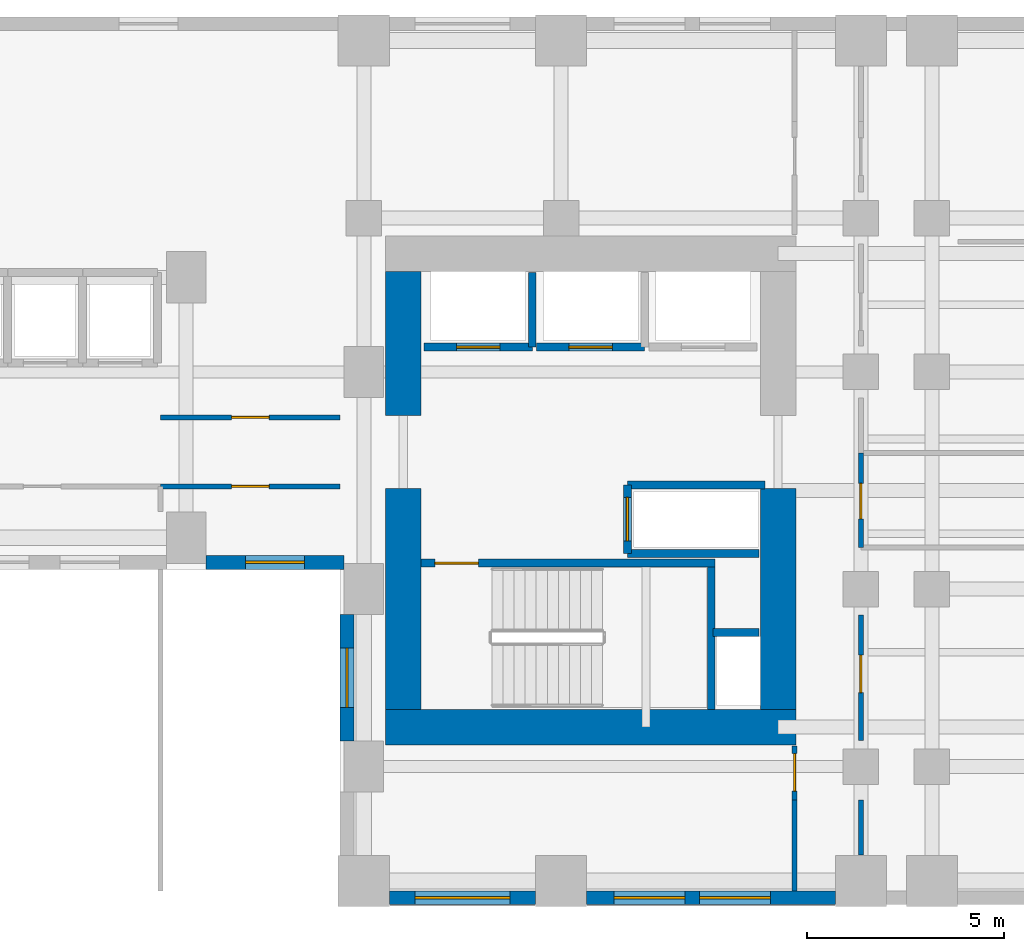
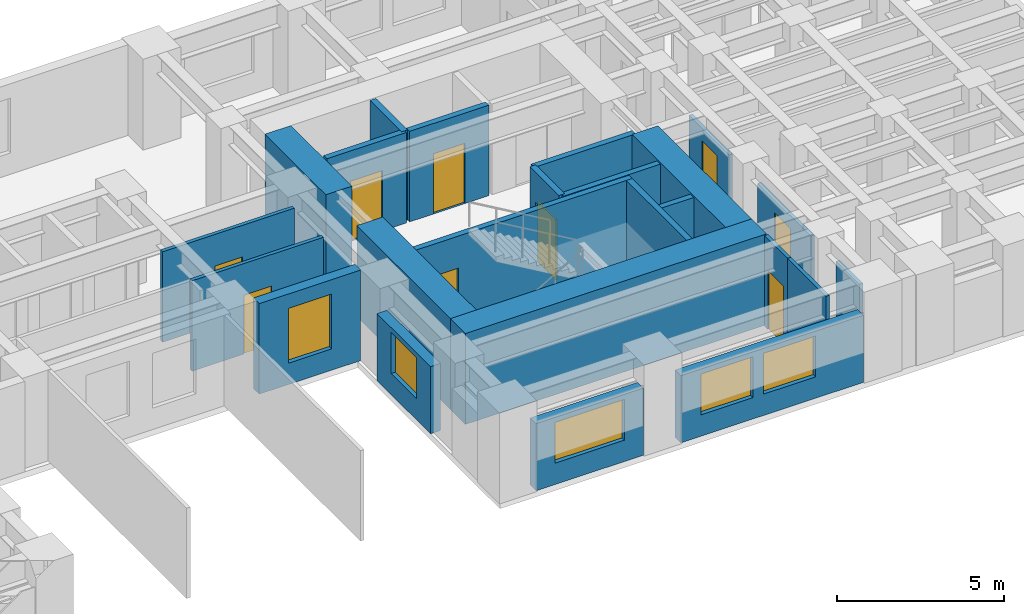
# One storey, part 7 of 11: 24 walls, 9 doors, 5 windows, 14 openings.
"""IFC4 building model written with IfcOpenShell, lengths in metres."""

import ifcopenshell
import ifcopenshell.guid

model = None  # the IFC model being written
_history = None  # IfcOwnerHistory: only IFC2X3 demands one
_inside = {}  # id of a spatial element -> (the spatial element, [elements in it])
_under = {}  # id of a project, library or spatial element -> (it, [spatial elements below it])
_declared = {}  # id of a project -> (the project, [libraries it declares])
_typed = {}  # id of a type object -> (the type object, [elements of that type])
_made_of = {}  # id of a material, layer set ... -> (it, [elements and type objects made of it])


def new_model(schema):
    """Start an empty IFC model of exactly this schema.

    Asked for "IFC4X3", IfcOpenShell would pick the latest addendum, in which some entities
    have other attributes; the version numbers below select the first issue.
    IFC2X3 requires an IfcOwnerHistory on every rooted entity: one is made here for all.
    """
    global model, _history
    if schema == "IFC4X3":
        model = ifcopenshell.file(schema_version=(4, 3, 0, 0))
    else:
        model = ifcopenshell.file(schema=schema)
    _inside.clear()
    _under.clear()
    _declared.clear()
    _typed.clear()
    _made_of.clear()
    _history = None
    if model.schema == "IFC2X3":
        org = make("IfcOrganization", Name="unknown")
        user = make(
            "IfcPersonAndOrganization",
            ThePerson=make("IfcPerson", FamilyName="unknown"),
            TheOrganization=org,
        )
        app = make(
            "IfcApplication",
            ApplicationDeveloper=org,
            Version="unknown",
            ApplicationFullName="unknown",
            ApplicationIdentifier="unknown",
        )
        _history = make(
            "IfcOwnerHistory",
            OwningUser=user,
            OwningApplication=app,
            ChangeAction="ADDED",
            CreationDate=0,
        )
    return model


def make(cls, **values):
    """One entity of the class cls with the attributes given. An attribute that is None is left unset."""
    return model.create_entity(
        cls, **{name: value for name, value in values.items() if value is not None}
    )


def rooted(cls, **values):
    """An entity with a GlobalId (a new one), such as an element, a storey or a relation."""
    return make(cls, GlobalId=ifcopenshell.guid.new(), OwnerHistory=_history, **values)


def si_unit(unit_type, name, prefix=None):
    """IfcSIUnit, for example si_unit("LENGTHUNIT", "METRE", prefix="MILLI")."""
    return make("IfcSIUnit", UnitType=unit_type, Prefix=prefix, Name=name)


def assignment(units):
    """IfcUnitAssignment: the units of a project."""
    return None if units is None else make("IfcUnitAssignment", Units=units)


def point(xyz):
    """IfcCartesianPoint."""
    return None if xyz is None else make("IfcCartesianPoint", Coordinates=xyz)


def direction(xyz):
    """IfcDirection."""
    return None if xyz is None else make("IfcDirection", DirectionRatios=xyz)


def frame(location, z_axis=None, x_axis=None):
    """IfcAxis2Placement3D, a coordinate frame: its origin and axes. An axis left out is left unset."""
    return make(
        "IfcAxis2Placement3D",
        Location=point(location),
        Axis=direction(z_axis),
        RefDirection=direction(x_axis),
    )


def frame_2d(location, x_axis=None):
    """IfcAxis2Placement2D, a coordinate frame in the plane: its origin and x axis."""
    return make(
        "IfcAxis2Placement2D", Location=point(location), RefDirection=direction(x_axis)
    )


def origin():
    """The frame at (0, 0, 0) with its axes left unset."""
    return frame((0.0, 0.0, 0.0))


def place(relative_to, where):
    """IfcLocalPlacement: puts the frame where relative to a parent placement (None: the world)."""
    return make(
        "IfcLocalPlacement", PlacementRelTo=relative_to, RelativePlacement=where
    )


def context(
    kind, dimensions, precision=None, world=None, true_north=None, identifier=None
):
    """IfcGeometricRepresentationContext, for example the 3D "Model" context."""
    return make(
        "IfcGeometricRepresentationContext",
        ContextIdentifier=identifier,
        ContextType=kind,
        CoordinateSpaceDimension=dimensions,
        Precision=precision,
        WorldCoordinateSystem=world,
        TrueNorth=true_north,
    )


def subcontext(parent, identifier, kind, view, scale=None):
    """IfcGeometricRepresentationSubContext, for example "Body" below "Model"."""
    return make(
        "IfcGeometricRepresentationSubContext",
        ContextIdentifier=identifier,
        ContextType=kind,
        ParentContext=parent,
        TargetScale=scale,
        TargetView=view,
    )


def project(units=None, contexts=None):
    """IfcProject with its units and contexts."""
    return rooted(
        "IfcProject",
        Name="project",
        RepresentationContexts=contexts,
        UnitsInContext=assignment(units),
    )


def spatial(cls, under=None, at=None, **own):
    """A site, building, storey or space (cls), placed at a placement, below another one or the project."""
    s = rooted(cls, ObjectPlacement=at, **own)
    if under is not None:
        _under.setdefault(under.id(), (under, []))[1].append(s)
    return s


def profile(cls, at=None, kind="AREA", **sizes):
    """A parametric profile (cls). Its sizes go by their IFC names, for example OverallWidth=200.0."""
    return make(cls, ProfileType=kind, Position=at, **sizes)


def rectangle(**sizes):
    """IfcRectangleProfileDef."""
    return profile("IfcRectangleProfileDef", **sizes)


def extrude(swept, where, along, depth):
    """IfcExtrudedAreaSolid: the profile swept, set in the frame where, extruded along a direction by depth."""
    return make(
        "IfcExtrudedAreaSolid",
        SweptArea=swept,
        Position=where,
        ExtrudedDirection=direction(along),
        Depth=depth,
    )


def shape(context_of_items, identifier, shape_type, items):
    """IfcShapeRepresentation: the items that make up one representation, for example the "Body"."""
    return make(
        "IfcShapeRepresentation",
        ContextOfItems=context_of_items,
        RepresentationIdentifier=identifier,
        RepresentationType=shape_type,
        Items=items,
    )


def source(mapping_origin, context_of_items, identifier, shape_type, items):
    """IfcRepresentationMap: a shape defined once, which mapped items show again and again."""
    return make(
        "IfcRepresentationMap",
        MappingOrigin=mapping_origin,
        MappedRepresentation=shape(context_of_items, identifier, shape_type, items),
    )


def transform(
    local_origin,
    x_axis=None,
    y_axis=None,
    z_axis=None,
    scale=None,
    scale2=None,
    scale3=None,
    uniform=True,
):
    """IfcCartesianTransformationOperator3D, or its non-uniform kind. x_axis, y_axis, z_axis: its Axis1, 2, 3."""
    if uniform:
        return make(
            "IfcCartesianTransformationOperator3D",
            Axis1=direction(x_axis),
            Axis2=direction(y_axis),
            LocalOrigin=point(local_origin),
            Scale=scale,
            Axis3=direction(z_axis),
        )
    return make(
        "IfcCartesianTransformationOperator3DnonUniform",
        Axis1=direction(x_axis),
        Axis2=direction(y_axis),
        LocalOrigin=point(local_origin),
        Scale=scale,
        Axis3=direction(z_axis),
        Scale2=scale2,
        Scale3=scale3,
    )


def mapped(mapping_source, mapping_target):
    """IfcMappedItem: shows the shape of a source again, moved by a transform."""
    return make(
        "IfcMappedItem", MappingSource=mapping_source, MappingTarget=mapping_target
    )


def material(Name=None, Category=None):
    """IfcMaterial."""
    return make("IfcMaterial", Name=Name, Category=Category)


def layer(
    of_material, thickness, ventilated=None, Name=None, Category=None, Priority=None
):
    """IfcMaterialLayer: one layer of a wall or slab, of a material (None: an air gap)."""
    return make(
        "IfcMaterialLayer",
        Material=of_material,
        LayerThickness=thickness,
        IsVentilated=ventilated,
        Name=Name,
        Category=Category,
        Priority=Priority,
    )


def layer_set(layers, Name=None):
    """IfcMaterialLayerSet."""
    return make("IfcMaterialLayerSet", MaterialLayers=layers, LayerSetName=Name)


def made_of(thing, what):
    """Note that an element or type object is made of a material, layer set ...; save() writes the relation."""
    if what is not None:
        _made_of.setdefault(what.id(), (what, []))[1].append(thing)
    return thing


def type_object(cls, material=None, **own):
    """A type object (cls), such as IfcWallType, which elements share."""
    return made_of(rooted(cls, **own), material)


def element(
    cls,
    number,
    at=None,
    inside=None,
    cuts=None,
    type_object=None,
    material=None,
    context=None,
    identifier="Body",
    shape_type=None,
    held_by="IfcProductDefinitionShape",
    body=None,
    shapes=None,
    **own,
):
    """One element of the class cls, such as IfcWall. Its Tag is "e" and its number.

    at: its placement. inside: the storey or other place that contains it. cuts: it is an
    opening in that element (IfcRelVoidsElement). A single representation is given by context,
    identifier, shape_type and body (its items); several are given by shapes. held_by: the class
    of the entity that holds the representations. save() writes the other relations.
    """
    e = rooted(cls, Tag="e%d" % number, ObjectPlacement=at, **own)
    if body is not None:
        shapes = [shape(context, identifier, shape_type, body)]
    if shapes is not None:
        e.Representation = make(held_by, Representations=shapes)
    if inside is not None:
        _inside.setdefault(inside.id(), (inside, []))[1].append(e)
    if cuts is not None:
        rooted(
            "IfcRelVoidsElement", RelatingBuildingElement=cuts, RelatedOpeningElement=e
        )
    if type_object is not None:
        _typed.setdefault(type_object.id(), (type_object, []))[1].append(e)
    return made_of(e, material)


def fill(opening, filler):
    """IfcRelFillsElement: the door or window that sits in an opening."""
    return rooted(
        "IfcRelFillsElement",
        RelatingOpeningElement=opening,
        RelatedBuildingElement=filler,
    )


def aggregate(whole, parts):
    """IfcRelAggregates: a whole, such as a stair, and the parts it consists of."""
    return rooted("IfcRelAggregates", RelatingObject=whole, RelatedObjects=parts)


def save(model, path):
    """Write the relations noted so far, then the file.

    IfcRelAggregates (storeys below a building ...), IfcRelContainedInSpatialStructure (elements
    in a storey), IfcRelDefinesByType, IfcRelAssociatesMaterial and IfcRelDeclares: one each for
    every whole, place, type object, material and project.
    """
    for whole, parts in _under.values():
        aggregate(whole, parts)
    for where, things in _inside.values():
        rooted(
            "IfcRelContainedInSpatialStructure",
            RelatedElements=things,
            RelatingStructure=where,
        )
    for kind, things in _typed.values():
        rooted("IfcRelDefinesByType", RelatedObjects=things, RelatingType=kind)
    for what, things in _made_of.values():
        rooted("IfcRelAssociatesMaterial", RelatedObjects=things, RelatingMaterial=what)
    for by, libraries in _declared.values():
        rooted("IfcRelDeclares", RelatingContext=by, RelatedDefinitions=libraries)
    model.write(path)


model = new_model("IFC4")

# Units and contexts
model_context = context("Model", 3, precision=1e-05, world=origin(), true_north=direction((0.0, 1.0)))
body_context = subcontext(model_context, "Body", "Model", "MODEL_VIEW")
ifc_project = project(units=[si_unit("LENGTHUNIT", "METRE"), si_unit("AREAUNIT", "SQUARE_METRE"), si_unit("VOLUMEUNIT", "CUBIC_METRE"), si_unit("PLANEANGLEUNIT", "RADIAN"), si_unit("MASSUNIT", "GRAM", prefix="KILO")], contexts=[model_context])

# Site, building, storey
site_placement = place(None, origin())
site = spatial("IfcSite", under=ifc_project, at=site_placement, CompositionType="ELEMENT")
building_placement = place(site_placement, origin())
building = spatial("IfcBuilding", under=site, at=building_placement, Name="Kharzan Plaza Tower", CompositionType="ELEMENT")
storey_placement = place(building_placement, frame((0.0, 0.0, 69.300048828125)))
storey = spatial("IfcBuildingStorey", under=building, at=storey_placement, Name="L18", CompositionType="ELEMENT", Elevation=69.300048828125)

# Wall, opening, window
ifc_material_1 = material(Name="Concrete C40/50", Category="concrete")
ifc_layer_1 = layer(ifc_material_1, 0.35009765625)
ifc_layer_set_1 = layer_set([ifc_layer_1], Name="Concrete C40/50")
wall_type_1 = type_object("IfcWallType", Name="WL-EXT-MAS-Z1", PredefinedType="SOLIDWALL", material=ifc_layer_set_1)
wall_1_placement = place(storey_placement, frame((30.998046875, 8.675048828125, 0.0), z_axis=(0.0, 0.0, 1.0), x_axis=(1.0, 0.0, 0.0)))
wall_1 = element("IfcWall", 1, at=wall_1_placement, inside=storey, type_object=wall_type_1, Name="L18 Masonry-Frame Exterior Wall 30", PredefinedType="SOLIDWALL", context=body_context, shape_type="SweptSolid", body=[
    extrude(rectangle(XDim=3.50390625, YDim=0.35009765625, at=frame_2d((1.751953125, 0.0))), origin(), (0.0, 0.0, 1.0), 3.304931640625),
])
opening_1_placement = place(wall_1_placement, frame((1.001953125, 0.0, 0.780029296875)))
opening_1 = element("IfcOpeningElement", 2, at=opening_1_placement, cuts=wall_1, Name="Opening W5", PredefinedType="OPENING", context=body_context, shape_type="SweptSolid", body=[
    extrude(rectangle(XDim=1.5, YDim=2.0, at=frame_2d((0.75, 1.0))), frame((0.0, 0.18505859375, 0.0), z_axis=(0.0, -1.0, 0.0), x_axis=(1.0, 0.0, 0.0)), (0.0, 0.0, 1.0), 0.3701171875),
])
ifc_material_2 = material(Name="Low-E Double Glazing", Category="glass")
window_type_1 = type_object("IfcWindowType", Name="WN-SLT-1500x2000", PartitioningType="SINGLE_PANEL", PredefinedType="WINDOW", material=ifc_material_2)
shared_shape_1 = source(origin(), body_context, "Body", "SweptSolid", [
    extrude(rectangle(XDim=1.5, YDim=2.0, at=frame_2d((0.75, 1.0))), frame((0.0, 0.030029296875, 0.0), z_axis=(0.0, -1.0, 0.0), x_axis=(1.0, 0.0, 0.0)), (0.0, 0.0, 1.0), 0.06005859375),
])
window_1_placement = place(opening_1_placement, origin())
window_1 = element("IfcWindow", 3, at=window_1_placement, inside=storey, type_object=window_type_1, Name="L18 Recessed Solar-Control Window 30-1", OverallHeight=2.0, OverallWidth=1.5, PartitioningType="SINGLE_PANEL", PredefinedType="WINDOW", context=body_context, shape_type="MappedRepresentation", body=[
    mapped(shared_shape_1, transform((0.0, 0.0, 0.0), x_axis=(1.0, 0.0, 0.0), y_axis=(0.0, 1.0, 0.0), z_axis=(0.0, 0.0, 1.0))),
])
fill(opening_1, window_1)

wall_2_placement = place(storey_placement, frame((34.574951171875, 7.35205078125, 0.0), z_axis=(0.0, 0.0, 1.0), x_axis=(0.0, -1.0, 0.0)))
wall_2 = element("IfcWall", 4, at=wall_2_placement, inside=storey, type_object=wall_type_1, Name="L18 Masonry-Frame Exterior Wall 31", PredefinedType="SOLIDWALL", context=body_context, shape_type="SweptSolid", body=[
    extrude(rectangle(XDim=3.2041015625, YDim=0.35009765625, at=frame_2d((1.60205078125, 0.0))), origin(), (0.0, 0.0, 1.0), 2.449951171875),
])
opening_2_placement = place(wall_2_placement, frame((0.85205078125, 0.0, 0.780029296875)))
opening_2 = element("IfcOpeningElement", 5, at=opening_2_placement, cuts=wall_2, Name="Opening W5", PredefinedType="OPENING", context=body_context, shape_type="SweptSolid", body=[
    extrude(rectangle(XDim=1.5, YDim=1.489990234375, at=frame_2d((0.75, 0.7451171875))), frame((0.0, 0.18505859375, 0.0), z_axis=(0.0, -1.0, 0.0), x_axis=(1.0, 0.0, 0.0)), (0.0, 0.0, 1.0), 0.3701171875),
])
shared_shape_2 = source(origin(), body_context, "Body", "SweptSolid", [
    extrude(rectangle(XDim=1.5, YDim=1.489990234375, at=frame_2d((0.75, 0.7451171875))), frame((0.0, 0.030029296875, 0.0), z_axis=(0.0, -1.0, 0.0), x_axis=(1.0, 0.0, 0.0)), (0.0, 0.0, 1.0), 0.06005859375),
])
window_2_placement = place(opening_2_placement, origin())
window_2 = element("IfcWindow", 6, at=window_2_placement, inside=storey, type_object=window_type_1, Name="L18 Recessed Solar-Control Window 31-1", OverallHeight=1.489990234375, OverallWidth=1.5, PartitioningType="SINGLE_PANEL", PredefinedType="WINDOW", context=body_context, shape_type="MappedRepresentation", body=[
    mapped(shared_shape_2, transform((0.0, 0.0, 0.0), x_axis=(1.0, 0.0, 0.0), y_axis=(0.0, 1.0, 0.0), z_axis=(0.0, 0.0, 1.0))),
])
fill(opening_2, window_2)

wall_3_placement = place(storey_placement, frame((35.64794921875, 0.175048828125, 0.0), z_axis=(0.0, 0.0, 1.0), x_axis=(1.0, 0.0, 0.0)))
wall_3 = element("IfcWall", 7, at=wall_3_placement, inside=storey, type_object=wall_type_1, Name="L18 Masonry-Frame Exterior Wall 33", PredefinedType="SOLIDWALL", context=body_context, shape_type="SweptSolid", body=[
    extrude(rectangle(XDim=3.7041015625, YDim=0.35009765625, at=frame_2d((1.85205078125, 0.0))), origin(), (0.0, 0.0, 1.0), 2.449951171875),
])
opening_3_placement = place(wall_3_placement, frame((0.652099609375, 0.0, 0.780029296875)))
opening_3 = element("IfcOpeningElement", 8, at=opening_3_placement, cuts=wall_3, Name="Opening W2", PredefinedType="OPENING", context=body_context, shape_type="SweptSolid", body=[
    extrude(rectangle(XDim=2.39990234375, YDim=1.489990234375, at=frame_2d((1.199951171875, 0.7451171875))), frame((0.0, 0.18505859375, 0.0), z_axis=(0.0, -1.0, 0.0), x_axis=(1.0, 0.0, 0.0)), (0.0, 0.0, 1.0), 0.3701171875),
])
window_type_2 = type_object("IfcWindowType", Name="WN-REC-2400x2100", PartitioningType="SINGLE_PANEL", PredefinedType="WINDOW", material=ifc_material_2)
shared_shape_3 = source(origin(), body_context, "Body", "SweptSolid", [
    extrude(rectangle(XDim=2.39990234375, YDim=1.489990234375, at=frame_2d((1.199951171875, 0.7451171875))), frame((0.0, 0.030029296875, 0.0), z_axis=(0.0, -1.0, 0.0), x_axis=(1.0, 0.0, 0.0)), (0.0, 0.0, 1.0), 0.06005859375),
])
window_3_placement = place(opening_3_placement, origin())
window_3 = element("IfcWindow", 9, at=window_3_placement, inside=storey, type_object=window_type_2, Name="L18 Wide Recessed Solar-Control Window 33-1", OverallHeight=1.489990234375, OverallWidth=2.39990234375, PartitioningType="SINGLE_PANEL", PredefinedType="WINDOW", context=body_context, shape_type="MappedRepresentation", body=[
    mapped(shared_shape_3, transform((0.0, 0.0, 0.0), x_axis=(1.0, 0.0, 0.0), y_axis=(0.0, 1.0, 0.0), z_axis=(0.0, 0.0, 1.0))),
])
fill(opening_3, window_3)

# Wall, openings, windows
wall_4_placement = place(storey_placement, frame((40.64794921875, 0.175048828125, 0.0), z_axis=(0.0, 0.0, 1.0), x_axis=(1.0, 0.0, 0.0)))
wall_4 = element("IfcWall", 10, at=wall_4_placement, inside=storey, type_object=wall_type_1, Name="L18 Masonry-Frame Exterior Wall 34", PredefinedType="SOLIDWALL", context=body_context, shape_type="SweptSolid", body=[
    extrude(rectangle(XDim=6.303955078125, YDim=0.35009765625, at=frame_2d((3.15185546875, 0.0))), origin(), (0.0, 0.0, 1.0), 2.449951171875),
])
opening_4_placement = place(wall_4_placement, frame((0.687255859375, 0.0, 0.780029296875)))
opening_4 = element("IfcOpeningElement", 11, at=opening_4_placement, cuts=wall_4, Name="Opening W1", PredefinedType="OPENING", context=body_context, shape_type="SweptSolid", body=[
    extrude(rectangle(XDim=1.800048828125, YDim=1.489990234375, at=frame_2d((0.89990234375, 0.7451171875))), frame((0.0, 0.18505859375, 0.0), z_axis=(0.0, -1.0, 0.0), x_axis=(1.0, 0.0, 0.0)), (0.0, 0.0, 1.0), 0.3701171875),
])
opening_5_placement = place(wall_4_placement, frame((2.854736328125, 0.0, 0.780029296875)))
opening_5 = element("IfcOpeningElement", 12, at=opening_5_placement, cuts=wall_4, Name="Opening W1", PredefinedType="OPENING", context=body_context, shape_type="SweptSolid", body=[
    extrude(rectangle(XDim=1.800048828125, YDim=1.489990234375, at=frame_2d((0.89990234375, 0.7451171875))), frame((0.0, 0.18505859375, 0.0), z_axis=(0.0, -1.0, 0.0), x_axis=(1.0, 0.0, 0.0)), (0.0, 0.0, 1.0), 0.3701171875),
])
window_type_3 = type_object("IfcWindowType", Name="WN-REC-1800x2100", PartitioningType="SINGLE_PANEL", PredefinedType="WINDOW", material=ifc_material_2)
shared_shape_4 = source(origin(), body_context, "Body", "SweptSolid", [
    extrude(rectangle(XDim=1.800048828125, YDim=1.489990234375, at=frame_2d((0.89990234375, 0.7451171875))), frame((0.0, 0.030029296875, 0.0), z_axis=(0.0, -1.0, 0.0), x_axis=(1.0, 0.0, 0.0)), (0.0, 0.0, 1.0), 0.06005859375),
])
window_4_placement = place(opening_4_placement, origin())
window_4 = element("IfcWindow", 13, at=window_4_placement, inside=storey, type_object=window_type_3, Name="L18 Recessed Solar-Control Window 34-1", OverallHeight=1.489990234375, OverallWidth=1.800048828125, PartitioningType="SINGLE_PANEL", PredefinedType="WINDOW", context=body_context, shape_type="MappedRepresentation", body=[
    mapped(shared_shape_4, transform((0.0, 0.0, 0.0), x_axis=(1.0, 0.0, 0.0), y_axis=(0.0, 1.0, 0.0), z_axis=(0.0, 0.0, 1.0))),
])
fill(opening_4, window_4)
window_5_placement = place(opening_5_placement, origin())
window_5 = element("IfcWindow", 14, at=window_5_placement, inside=storey, type_object=window_type_3, Name="L18 Recessed Solar-Control Window 34-2", OverallHeight=1.489990234375, OverallWidth=1.800048828125, PartitioningType="SINGLE_PANEL", PredefinedType="WINDOW", context=body_context, shape_type="MappedRepresentation", body=[
    mapped(shared_shape_4, transform((0.0, 0.0, 0.0), x_axis=(1.0, 0.0, 0.0), y_axis=(0.0, 1.0, 0.0), z_axis=(0.0, 0.0, 1.0))),
])
fill(opening_5, window_5)

# Wall, opening, door
ifc_material_3 = material(Name="Fire-Rated Gypsum Board Partition", Category="gypsum")
ifc_layer_2 = layer(ifc_material_3, 0.125)
ifc_layer_set_2 = layer_set([ifc_layer_2], Name="Fire-Rated Gypsum Board Partition")
wall_type_2 = type_object("IfcWallType", Name="WL-INT-PART-125", PredefinedType="PARTITIONING", material=ifc_layer_set_2)
wall_5_placement = place(storey_placement, frame((47.60009765625, 4.159912109375, 0.0), z_axis=(0.0, 0.0, 1.0), x_axis=(0.0, 1.0, 0.0)))
wall_5 = element("IfcWall", 15, at=wall_5_placement, inside=storey, type_object=wall_type_2, Name="L18 Interior Partition SH-B1W0", PredefinedType="PARTITIONING", context=body_context, shape_type="SweptSolid", body=[
    extrude(rectangle(XDim=3.18017578125, YDim=0.125, at=frame_2d((1.590087890625, 0.0))), origin(), (0.0, 0.0, 1.0), 2.60986328125),
])
opening_6_placement = place(wall_5_placement, frame((1.215087890625, 0.0, 0.0)))
opening_6 = element("IfcOpeningElement", 16, at=opening_6_placement, cuts=wall_5, Name="Opening OD1", PredefinedType="OPENING", context=body_context, shape_type="SweptSolid", body=[
    extrude(rectangle(XDim=0.949951171875, YDim=2.14990234375, at=frame_2d((0.47509765625, 1.074951171875))), frame((0.0, 0.072509765625, 0.0), z_axis=(0.0, -1.0, 0.0), x_axis=(1.0, 0.0, 0.0)), (0.0, 0.0, 1.0), 0.14501953125),
])
ifc_material_4 = material(Name="Acoustic Solid-Core Stained Oak", Category="timber")
door_type_1 = type_object("IfcDoorType", Name="DR-OFF-SINGLE", OperationType="NOTDEFINED", PredefinedType="DOOR", material=ifc_material_4)
shared_shape_5 = source(origin(), body_context, "Body", "SweptSolid", [
    extrude(rectangle(XDim=0.949951171875, YDim=2.14990234375, at=frame_2d((0.47509765625, 1.074951171875))), frame((0.0, 0.02490234375, 0.0), z_axis=(0.0, -1.0, 0.0), x_axis=(1.0, 0.0, 0.0)), (0.0, 0.0, 1.0), 0.050048828125),
])
door_1_placement = place(opening_6_placement, origin())
door_1 = element("IfcDoor", 17, at=door_1_placement, inside=storey, type_object=door_type_1, Name="L18 Wing B South Studio Door", OperationType="SINGLE_SWING_LEFT", OverallHeight=2.14990234375, OverallWidth=0.949951171875, PredefinedType="DOOR", context=body_context, shape_type="MappedRepresentation", body=[
    mapped(shared_shape_5, transform((0.0, 0.0, 0.0), x_axis=(1.0, 0.0, 0.0), y_axis=(0.0, 1.0, 0.0), z_axis=(0.0, 0.0, 1.0))),
])
fill(opening_6, door_1)

wall_6_placement = place(storey_placement, frame((47.60009765625, 9.050048828125, 0.0), z_axis=(0.0, 0.0, 1.0), x_axis=(0.0, 1.0, 0.0)))
wall_6 = element("IfcWall", 18, at=wall_6_placement, inside=storey, type_object=wall_type_2, Name="L18 Interior Partition SH-B1WC", PredefinedType="PARTITIONING", context=body_context, shape_type="SweptSolid", body=[
    extrude(rectangle(XDim=2.39990234375, YDim=0.125, at=frame_2d((1.199951171875, 0.0))), origin(), (0.0, 0.0, 1.0), 2.60986328125),
])
opening_7_placement = place(wall_6_placement, frame((0.72509765625, 0.0, 0.0)))
opening_7 = element("IfcOpeningElement", 19, at=opening_7_placement, cuts=wall_6, Name="Opening WD1", PredefinedType="OPENING", context=body_context, shape_type="SweptSolid", body=[
    extrude(rectangle(XDim=0.89990234375, YDim=2.14990234375, at=frame_2d((0.449951171875, 1.074951171875))), frame((0.0, 0.072509765625, 0.0), z_axis=(0.0, -1.0, 0.0), x_axis=(1.0, 0.0, 0.0)), (0.0, 0.0, 1.0), 0.14501953125),
])
ifc_material_5 = material(Name="Moisture-Resistant Fire-Rated Laminate", Category="timber")
door_type_2 = type_object("IfcDoorType", Name="DR-WC-900", OperationType="NOTDEFINED", PredefinedType="DOOR", material=ifc_material_5)
shared_shape_6 = source(origin(), body_context, "Body", "SweptSolid", [
    extrude(rectangle(XDim=0.89990234375, YDim=2.14990234375, at=frame_2d((0.449951171875, 1.074951171875))), frame((0.0, 0.02490234375, 0.0), z_axis=(0.0, -1.0, 0.0), x_axis=(1.0, 0.0, 0.0)), (0.0, 0.0, 1.0), 0.050048828125),
])
door_2_placement = place(opening_7_placement, origin())
door_2 = element("IfcDoor", 20, at=door_2_placement, inside=storey, type_object=door_type_2, Name="L18 Wing B Washroom Door", OperationType="SINGLE_SWING_RIGHT", OverallHeight=2.14990234375, OverallWidth=0.89990234375, PredefinedType="DOOR", context=body_context, shape_type="MappedRepresentation", body=[
    mapped(shared_shape_6, transform((0.0, 0.0, 0.0), x_axis=(1.0, 0.0, 0.0), y_axis=(0.0, 1.0, 0.0), z_axis=(0.0, 0.0, 1.0))),
])
fill(opening_7, door_2)

wall_7_placement = place(storey_placement, frame((45.919921875, 2.64990234375, 0.0), z_axis=(0.0, 0.0, 1.0), x_axis=(0.0, 1.0, 0.0)))
wall_7 = element("IfcWall", 21, at=wall_7_placement, inside=storey, type_object=wall_type_2, Name="L18 Interior Partition SH-RBSE", PredefinedType="PARTITIONING", context=body_context, shape_type="SweptSolid", body=[
    extrude(rectangle(XDim=1.3701171875, YDim=0.125, at=frame_2d((0.68505859375, 0.0))), origin(), (0.0, 0.0, 1.0), 3.304931640625),
])
opening_8_placement = place(wall_7_placement, frame((0.22509765625, 0.0, 0.0)))
opening_8 = element("IfcOpeningElement", 22, at=opening_8_placement, cuts=wall_7, Name="Opening OD1", PredefinedType="OPENING", context=body_context, shape_type="SweptSolid", body=[
    extrude(rectangle(XDim=0.949951171875, YDim=2.14990234375, at=frame_2d((0.47509765625, 1.074951171875))), frame((0.0, 0.072509765625, 0.0), z_axis=(0.0, -1.0, 0.0), x_axis=(1.0, 0.0, 0.0)), (0.0, 0.0, 1.0), 0.14501953125),
])
door_3_placement = place(opening_8_placement, origin())
door_3 = element("IfcDoor", 23, at=door_3_placement, inside=storey, type_object=door_type_1, Name="L18 South-East Corner Office Door", OperationType="SINGLE_SWING_LEFT", OverallHeight=2.14990234375, OverallWidth=0.949951171875, PredefinedType="DOOR", context=body_context, shape_type="MappedRepresentation", body=[
    mapped(shared_shape_5, transform((0.0, 0.0, 0.0), x_axis=(1.0, 0.0, 0.0), y_axis=(0.0, 1.0, 0.0), z_axis=(0.0, 0.0, 1.0))),
])
fill(opening_8, door_3)

wall_8_placement = place(storey_placement, frame((29.85009765625, 12.35009765625, 0.0), z_axis=(0.0, 0.0, 1.0), x_axis=(1.0, 0.0, 0.0)))
wall_8 = element("IfcWall", 24, at=wall_8_placement, inside=storey, type_object=wall_type_2, Name="L18 Interior Partition SH-SPNE1", PredefinedType="PARTITIONING", context=body_context, shape_type="SweptSolid", body=[
    extrude(rectangle(XDim=4.5498046875, YDim=0.125, at=frame_2d((2.27490234375, 0.0))), origin(), (0.0, 0.0, 1.0), 3.304931640625),
])
opening_9_placement = place(wall_8_placement, frame((1.800048828125, 0.0, 0.0)))
opening_9 = element("IfcOpeningElement", 25, at=opening_9_placement, cuts=wall_8, Name="Opening OD1", PredefinedType="OPENING", context=body_context, shape_type="SweptSolid", body=[
    extrude(rectangle(XDim=0.949951171875, YDim=2.14990234375, at=frame_2d((0.47509765625, 1.074951171875))), frame((0.0, 0.072509765625, 0.0), z_axis=(0.0, -1.0, 0.0), x_axis=(1.0, 0.0, 0.0)), (0.0, 0.0, 1.0), 0.14501953125),
])
door_4_placement = place(opening_9_placement, origin())
door_4 = element("IfcDoor", 26, at=door_4_placement, inside=storey, type_object=door_type_1, Name="L18 North-East Spine Door", OperationType="SINGLE_SWING_RIGHT", OverallHeight=2.14990234375, OverallWidth=0.949951171875, PredefinedType="DOOR", context=body_context, shape_type="MappedRepresentation", body=[
    mapped(shared_shape_5, transform((0.0, 0.0, 0.0), x_axis=(1.0, 0.0, 0.0), y_axis=(0.0, 1.0, 0.0), z_axis=(0.0, 0.0, 1.0))),
])
fill(opening_9, door_4)

wall_9_placement = place(storey_placement, frame((29.85009765625, 10.60009765625, 0.0), z_axis=(0.0, 0.0, 1.0), x_axis=(1.0, 0.0, 0.0)))
wall_9 = element("IfcWall", 27, at=wall_9_placement, inside=storey, type_object=wall_type_2, Name="L18 Interior Partition SH-SPS3", PredefinedType="PARTITIONING", context=body_context, shape_type="SweptSolid", body=[
    extrude(rectangle(XDim=4.5498046875, YDim=0.125, at=frame_2d((2.27490234375, 0.0))), origin(), (0.0, 0.0, 1.0), 3.304931640625),
])
opening_10_placement = place(wall_9_placement, frame((1.800048828125, 0.0, 0.0)))
opening_10 = element("IfcOpeningElement", 28, at=opening_10_placement, cuts=wall_9, Name="Opening OD1", PredefinedType="OPENING", context=body_context, shape_type="SweptSolid", body=[
    extrude(rectangle(XDim=0.949951171875, YDim=2.14990234375, at=frame_2d((0.47509765625, 1.074951171875))), frame((0.0, 0.072509765625, 0.0), z_axis=(0.0, -1.0, 0.0), x_axis=(1.0, 0.0, 0.0)), (0.0, 0.0, 1.0), 0.14501953125),
])
door_5_placement = place(opening_10_placement, origin())
door_5 = element("IfcDoor", 29, at=door_5_placement, inside=storey, type_object=door_type_1, Name="L18 Spine Studio 3 Door", OperationType="SINGLE_SWING_RIGHT", OverallHeight=2.14990234375, OverallWidth=0.949951171875, PredefinedType="DOOR", context=body_context, shape_type="MappedRepresentation", body=[
    mapped(shared_shape_5, transform((0.0, 0.0, 0.0), x_axis=(1.0, 0.0, 0.0), y_axis=(0.0, 1.0, 0.0), z_axis=(0.0, 0.0, 1.0))),
])
fill(opening_10, door_5)

ifc_layer_3 = layer(ifc_material_1, 0.199951171875)
ifc_layer_set_3 = layer_set([ifc_layer_3], Name="Concrete C40/50")
wall_type_3 = type_object("IfcWallType", Name="WL-INT-SHAFT-200", PredefinedType="PARTITIONING", material=ifc_layer_set_3)
wall_10_placement = place(storey_placement, frame((36.530029296875, 14.1298828125, 0.0), z_axis=(0.0, 0.0, 1.0), x_axis=(1.0, 0.0, 0.0)))
wall_10 = element("IfcWall", 30, at=wall_10_placement, inside=storey, type_object=wall_type_3, Name="L18 Interior Partition SHF-PL-L1-S", PredefinedType="PARTITIONING", context=body_context, shape_type="SweptSolid", body=[
    extrude(rectangle(XDim=2.739990234375, YDim=0.199951171875, at=frame_2d((1.3701171875, 0.0))), origin(), (0.0, 0.0, 1.0), 3.304931640625),
])
opening_11_placement = place(wall_10_placement, frame((0.820068359375, 0.0, 0.0)))
opening_11 = element("IfcOpeningElement", 31, at=opening_11_placement, cuts=wall_10, Name="Opening LD", PredefinedType="OPENING", context=body_context, shape_type="SweptSolid", body=[
    extrude(rectangle(XDim=1.10009765625, YDim=2.199951171875, at=frame_2d((0.550048828125, 1.10009765625))), frame((0.0, 0.10986328125, 0.0), z_axis=(0.0, -1.0, 0.0), x_axis=(1.0, 0.0, 0.0)), (0.0, 0.0, 1.0), 0.219970703125),
])
ifc_material_6 = material(Name="Brushed Stainless Steel", Category="steel")
door_type_3 = type_object("IfcDoorType", Name="DR-LIFT-SLIDE", OperationType="SLIDING_TO_LEFT", PredefinedType="DOOR", material=ifc_material_6)
shared_shape_7 = source(origin(), body_context, "Body", "SweptSolid", [
    extrude(rectangle(XDim=1.10009765625, YDim=2.199951171875, at=frame_2d((0.550048828125, 1.10009765625))), frame((0.0, 0.02490234375, 0.0), z_axis=(0.0, -1.0, 0.0), x_axis=(1.0, 0.0, 0.0)), (0.0, 0.0, 1.0), 0.050048828125),
])
door_6_placement = place(opening_11_placement, origin())
door_6 = element("IfcDoor", 32, at=door_6_placement, inside=storey, type_object=door_type_3, Name="L18 Low-Rise Passenger Lift PL-L1 Sliding Landing Door", OperationType="SLIDING_TO_LEFT", OverallHeight=2.199951171875, OverallWidth=1.10009765625, PredefinedType="DOOR", context=body_context, shape_type="MappedRepresentation", body=[
    mapped(shared_shape_7, transform((0.0, 0.0, 0.0), x_axis=(1.0, 0.0, 0.0), y_axis=(0.0, 1.0, 0.0), z_axis=(0.0, 0.0, 1.0))),
])
fill(opening_11, door_6)

wall_11_placement = place(storey_placement, frame((39.3798828125, 14.1298828125, 0.0), z_axis=(0.0, 0.0, 1.0), x_axis=(1.0, 0.0, 0.0)))
wall_11 = element("IfcWall", 33, at=wall_11_placement, inside=storey, type_object=wall_type_3, Name="L18 Interior Partition SHF-PL-L2-S", PredefinedType="PARTITIONING", context=body_context, shape_type="SweptSolid", body=[
    extrude(rectangle(XDim=2.740234375, YDim=0.199951171875, at=frame_2d((1.3701171875, 0.0))), origin(), (0.0, 0.0, 1.0), 3.304931640625),
])
opening_12_placement = place(wall_11_placement, frame((0.820068359375, 0.0, 0.0)))
opening_12 = element("IfcOpeningElement", 34, at=opening_12_placement, cuts=wall_11, Name="Opening LD", PredefinedType="OPENING", context=body_context, shape_type="SweptSolid", body=[
    extrude(rectangle(XDim=1.10009765625, YDim=2.199951171875, at=frame_2d((0.550048828125, 1.10009765625))), frame((0.0, 0.10986328125, 0.0), z_axis=(0.0, -1.0, 0.0), x_axis=(1.0, 0.0, 0.0)), (0.0, 0.0, 1.0), 0.219970703125),
])
door_7_placement = place(opening_12_placement, origin())
door_7 = element("IfcDoor", 35, at=door_7_placement, inside=storey, type_object=door_type_3, Name="L18 Low-Rise Passenger Lift PL-L2 Sliding Landing Door", OperationType="SLIDING_TO_LEFT", OverallHeight=2.199951171875, OverallWidth=1.10009765625, PredefinedType="DOOR", context=body_context, shape_type="MappedRepresentation", body=[
    mapped(shared_shape_7, transform((0.0, 0.0, 0.0), x_axis=(1.0, 0.0, 0.0), y_axis=(0.0, 1.0, 0.0), z_axis=(0.0, 0.0, 1.0))),
])
fill(opening_12, door_7)

wall_12_placement = place(storey_placement, frame((41.679931640625, 8.89990234375, 0.0), z_axis=(0.0, 0.0, 1.0), x_axis=(0.0, 1.0, 0.0)))
wall_12 = element("IfcWall", 36, at=wall_12_placement, inside=storey, type_object=wall_type_3, Name="L18 Interior Partition SHF-SVL-2-W", PredefinedType="PARTITIONING", context=body_context, shape_type="SweptSolid", body=[
    extrude(rectangle(XDim=1.739990234375, YDim=0.199951171875, at=frame_2d((0.8701171875, 0.0))), origin(), (0.0, 0.0, 1.0), 3.304931640625),
])
opening_13_placement = place(wall_12_placement, frame((0.320068359375, 0.0, 0.0)))
opening_13 = element("IfcOpeningElement", 37, at=opening_13_placement, cuts=wall_12, Name="Opening LD", PredefinedType="OPENING", context=body_context, shape_type="SweptSolid", body=[
    extrude(rectangle(XDim=1.10009765625, YDim=2.199951171875, at=frame_2d((0.550048828125, 1.10009765625))), frame((0.0, 0.10986328125, 0.0), z_axis=(0.0, -1.0, 0.0), x_axis=(1.0, 0.0, 0.0)), (0.0, 0.0, 1.0), 0.219970703125),
])
door_8_placement = place(opening_13_placement, origin())
door_8 = element("IfcDoor", 38, at=door_8_placement, inside=storey, type_object=door_type_3, Name="L18 Service Lift SVL-2 Sliding Landing Door", OperationType="SLIDING_TO_LEFT", OverallHeight=2.199951171875, OverallWidth=1.10009765625, PredefinedType="DOOR", context=body_context, shape_type="MappedRepresentation", body=[
    mapped(shared_shape_7, transform((0.0, 0.0, 0.0), x_axis=(1.0, 0.0, 0.0), y_axis=(0.0, 1.0, 0.0), z_axis=(0.0, 0.0, 1.0))),
])
fill(opening_13, door_8)

ifc_material_7 = material(Name="Concrete C50/60", Category="concrete")
ifc_layer_4 = layer(ifc_material_7, 0.199951171875)
ifc_layer_set_4 = layer_set([ifc_layer_4], Name="Concrete C50/60")
wall_type_4 = type_object("IfcWallType", Name="WL-SHAFT-RC200", PredefinedType="SHEAR", material=ifc_layer_set_4)
wall_13_placement = place(storey_placement, frame((36.451904296875, 8.655029296875, 0.0), z_axis=(0.0, 0.0, 1.0), x_axis=(1.0, 0.0, 0.0)))
wall_13 = element("IfcWall", 39, at=wall_13_placement, inside=storey, type_object=wall_type_4, Name="L18 Stair ST-3 North RC Shaft Wall", PredefinedType="SHEAR", context=body_context, shape_type="SweptSolid", body=[
    extrude(rectangle(XDim=7.453125, YDim=0.199951171875, at=frame_2d((3.7265625, 0.0))), origin(), (0.0, 0.0, 1.0), 3.320068359375),
])
opening_14_placement = place(wall_13_placement, frame((0.35009765625, 0.0, 0.0)))
opening_14 = element("IfcOpeningElement", 40, at=opening_14_placement, cuts=wall_13, Name="Opening SD1", PredefinedType="OPENING", context=body_context, shape_type="SweptSolid", body=[
    extrude(rectangle(XDim=1.10009765625, YDim=2.14990234375, at=frame_2d((0.550048828125, 1.074951171875))), frame((0.0, 0.10986328125, 0.0), z_axis=(0.0, -1.0, 0.0), x_axis=(1.0, 0.0, 0.0)), (0.0, 0.0, 1.0), 0.219970703125),
])
ifc_material_8 = material(Name="Fire-Rated Hollow Galvanized Steel", Category="steel")
door_type_4 = type_object("IfcDoorType", Name="DR-STAIR-FD120", OperationType="NOTDEFINED", PredefinedType="DOOR", material=ifc_material_8)
shared_shape_8 = source(origin(), body_context, "Body", "SweptSolid", [
    extrude(rectangle(XDim=1.10009765625, YDim=2.14990234375, at=frame_2d((0.550048828125, 1.074951171875))), frame((0.0, 0.02490234375, 0.0), z_axis=(0.0, -1.0, 0.0), x_axis=(1.0, 0.0, 0.0)), (0.0, 0.0, 1.0), 0.050048828125),
])
door_9_placement = place(opening_14_placement, origin())
door_9 = element("IfcDoor", 41, at=door_9_placement, inside=storey, type_object=door_type_4, Name="L18 Stair ST-3 Fire Exit Door", OperationType="SINGLE_SWING_RIGHT", OverallHeight=2.14990234375, OverallWidth=1.10009765625, PredefinedType="DOOR", context=body_context, shape_type="MappedRepresentation", body=[
    mapped(shared_shape_8, transform((0.0, 0.0, 0.0), x_axis=(1.0, 0.0, 0.0), y_axis=(0.0, 1.0, 0.0), z_axis=(0.0, 0.0, 1.0))),
])
fill(opening_14, door_9)

# Walls
ifc_material_9 = material(Name="Concrete C60/75", Category="concrete")
ifc_layer_5 = layer(ifc_material_9, 0.89990234375)
ifc_layer_set_5 = layer_set([ifc_layer_5], Name="Concrete C60/75")
wall_type_5 = type_object("IfcWallType", Name="WL-CORE-900", PredefinedType="SHEAR", material=ifc_layer_set_5)
shared_shape_9 = source(origin(), body_context, "Body", "SweptSolid", [
    extrude(rectangle(XDim=5.60009765625, YDim=0.89990234375, at=frame_2d((2.800048828125, 0.0))), origin(), (0.0, 0.0, 1.0), 3.320068359375),
])
for number, where, z_axis, x_axis, name in (
    (42, (45.5, 4.949951171875, 0.0), (0.0, 0.0, 1.0), (0.0, 1.0, 0.0), "L18 CORE-B east shear pier 1"),
    (43, (36.0, 4.949951171875, 0.0), (0.0, 0.0, 1.0), (0.0, 1.0, 0.0), "L18 CORE-B west shear pier 1"),
):
    element("IfcWall", number, at=place(storey_placement, frame(where, z_axis=z_axis, x_axis=x_axis)), inside=storey, type_object=wall_type_5, Name=name, PredefinedType="SHEAR", context=body_context, shape_type="MappedRepresentation", body=[
        mapped(shared_shape_9, transform((0.0, 0.0, 0.0), x_axis=(1.0, 0.0, 0.0), y_axis=(0.0, 1.0, 0.0), z_axis=(0.0, 0.0, 1.0))),
    ])
shared_shape_10 = source(origin(), body_context, "Body", "SweptSolid", [
    extrude(rectangle(XDim=3.650146484375, YDim=0.89990234375, at=frame_2d((1.8251953125, 0.0))), origin(), (0.0, 0.0, 1.0), 3.320068359375),
])
wall_14_placement = place(storey_placement, frame((36.0, 12.39990234375, 0.0), z_axis=(0.0, 0.0, 1.0), x_axis=(0.0, 1.0, 0.0)))
element("IfcWall", 44, at=wall_14_placement, inside=storey, type_object=wall_type_5, Name="L18 CORE-B west shear pier 2", PredefinedType="SHEAR", context=body_context, shape_type="MappedRepresentation", body=[
    mapped(shared_shape_10, transform((0.0, 0.0, 0.0), x_axis=(1.0, 0.0, 0.0), y_axis=(0.0, 1.0, 0.0), z_axis=(0.0, 0.0, 1.0))),
])
shared_shape_11 = source(origin(), body_context, "Body", "SweptSolid", [
    extrude(rectangle(XDim=10.39990234375, YDim=0.89990234375, at=frame_2d((5.199951171875, 0.0))), origin(), (0.0, 0.0, 1.0), 3.320068359375),
])
wall_15_placement = place(storey_placement, frame((35.550048828125, 4.5, 0.0), z_axis=(0.0, 0.0, 1.0), x_axis=(1.0, 0.0, 0.0)))
element("IfcWall", 45, at=wall_15_placement, inside=storey, type_object=wall_type_5, Name="L18 CORE-B south RC shear wall", PredefinedType="SHEAR", context=body_context, shape_type="MappedRepresentation", body=[
    mapped(shared_shape_11, transform((0.0, 0.0, 0.0), x_axis=(1.0, 0.0, 0.0), y_axis=(0.0, 1.0, 0.0), z_axis=(0.0, 0.0, 1.0))),
])
shared_shape_12 = source(origin(), body_context, "Body", "SweptSolid", [
    extrude(rectangle(XDim=1.389892578125, YDim=0.125, at=frame_2d((0.69482421875, 0.0))), origin(), (0.0, 0.0, 1.0), 2.60986328125),
])
wall_16_placement = place(storey_placement, frame((47.60009765625, 1.260009765625, 0.0), z_axis=(0.0, 0.0, 1.0), x_axis=(0.0, 1.0, 0.0)))
element("IfcWall", 46, at=wall_16_placement, inside=storey, type_object=wall_type_2, Name="L18 Interior Partition SH-B1W0S", PredefinedType="PARTITIONING", context=body_context, shape_type="MappedRepresentation", body=[
    mapped(shared_shape_12, transform((0.0, 0.0, 0.0), x_axis=(1.0, 0.0, 0.0), y_axis=(0.0, 1.0, 0.0), z_axis=(0.0, 0.0, 1.0))),
])
shared_shape_13 = source(origin(), body_context, "Body", "SweptSolid", [
    extrude(rectangle(XDim=2.2978515625, YDim=0.125, at=frame_2d((1.14892578125, 0.0))), origin(), (0.0, 0.0, 1.0), 3.304931640625),
])
wall_17_placement = place(storey_placement, frame((45.919921875, 0.35205078125, 0.0), z_axis=(0.0, 0.0, 1.0), x_axis=(0.0, 1.0, 0.0)))
element("IfcWall", 47, at=wall_17_placement, inside=storey, type_object=wall_type_2, Name="L18 Interior Partition SH-RBSE0", PredefinedType="PARTITIONING", context=body_context, shape_type="MappedRepresentation", body=[
    mapped(shared_shape_13, transform((0.0, 0.0, 0.0), x_axis=(1.0, 0.0, 0.0), y_axis=(0.0, 1.0, 0.0), z_axis=(0.0, 0.0, 1.0))),
])
shared_shape_14 = source(origin(), body_context, "Body", "SweptSolid", [
    extrude(rectangle(XDim=1.169921875, YDim=0.199951171875, at=frame_2d((0.5849609375, 0.0))), origin(), (0.0, 0.0, 1.0), 3.304931640625),
])
wall_18_placement = place(storey_placement, frame((43.85009765625, 6.89990234375, 0.0), z_axis=(0.0, 0.0, 1.0), x_axis=(1.0, 0.0, 0.0)))
element("IfcWall", 48, at=wall_18_placement, inside=storey, type_object=wall_type_3, Name="L18 Interior Partition CB-RSRB-N", PredefinedType="PARTITIONING", context=body_context, shape_type="MappedRepresentation", body=[
    mapped(shared_shape_14, transform((0.0, 0.0, 0.0), x_axis=(1.0, 0.0, 0.0), y_axis=(0.0, 1.0, 0.0), z_axis=(0.0, 0.0, 1.0))),
])
shared_shape_15 = source(origin(), body_context, "Body", "SweptSolid", [
    extrude(rectangle(XDim=1.89013671875, YDim=0.199951171875, at=frame_2d((0.945068359375, 0.0))), origin(), (0.0, 0.0, 1.0), 3.304931640625),
])
wall_19_placement = place(storey_placement, frame((39.27001953125, 14.1298828125, 0.0), z_axis=(0.0, 0.0, 1.0), x_axis=(0.0, 1.0, 0.0)))
element("IfcWall", 49, at=wall_19_placement, inside=storey, type_object=wall_type_3, Name="L18 Interior Partition SHF-PL-L1-E", PredefinedType="PARTITIONING", context=body_context, shape_type="MappedRepresentation", body=[
    mapped(shared_shape_15, transform((0.0, 0.0, 0.0), x_axis=(1.0, 0.0, 0.0), y_axis=(0.0, 1.0, 0.0), z_axis=(0.0, 0.0, 1.0))),
])
shared_shape_16 = source(origin(), body_context, "Body", "SweptSolid", [
    extrude(rectangle(XDim=3.489990234375, YDim=0.199951171875, at=frame_2d((1.7451171875, 0.0))), origin(), (0.0, 0.0, 1.0), 3.304931640625),
])
wall_20_placement = place(storey_placement, frame((41.679931640625, 10.639892578125, 0.0), z_axis=(0.0, 0.0, 1.0), x_axis=(1.0, 0.0, 0.0)))
element("IfcWall", 50, at=wall_20_placement, inside=storey, type_object=wall_type_3, Name="L18 Interior Partition SHF-SVL-2-N", PredefinedType="PARTITIONING", context=body_context, shape_type="MappedRepresentation", body=[
    mapped(shared_shape_16, transform((0.0, 0.0, 0.0), x_axis=(1.0, 0.0, 0.0), y_axis=(0.0, 1.0, 0.0), z_axis=(0.0, 0.0, 1.0))),
])
shared_shape_17 = source(origin(), body_context, "Body", "SweptSolid", [
    extrude(rectangle(XDim=3.340087890625, YDim=0.199951171875, at=frame_2d((1.669921875, 0.0))), origin(), (0.0, 0.0, 1.0), 3.304931640625),
])
wall_21_placement = place(storey_placement, frame((41.679931640625, 8.89990234375, 0.0), z_axis=(0.0, 0.0, 1.0), x_axis=(1.0, 0.0, 0.0)))
element("IfcWall", 51, at=wall_21_placement, inside=storey, type_object=wall_type_3, Name="L18 Interior Partition SHF-SVL-2-S", PredefinedType="PARTITIONING", context=body_context, shape_type="MappedRepresentation", body=[
    mapped(shared_shape_17, transform((0.0, 0.0, 0.0), x_axis=(1.0, 0.0, 0.0), y_axis=(0.0, 1.0, 0.0), z_axis=(0.0, 0.0, 1.0))),
])
shared_shape_18 = source(origin(), body_context, "Body", "SweptSolid", [
    extrude(rectangle(XDim=3.60302734375, YDim=0.199951171875, at=frame_2d((1.801513671875, 0.0))), origin(), (0.0, 0.0, 1.0), 3.320068359375),
])
wall_22_placement = place(storey_placement, frame((43.804931640625, 4.951904296875, 0.0), z_axis=(0.0, 0.0, 1.0), x_axis=(0.0, 1.0, 0.0)))
element("IfcWall", 52, at=wall_22_placement, inside=storey, type_object=wall_type_4, Name="L18 Stair ST-3 East RC Shaft Wall", PredefinedType="SHEAR", context=body_context, shape_type="MappedRepresentation", body=[
    mapped(shared_shape_18, transform((0.0, 0.0, 0.0), x_axis=(1.0, 0.0, 0.0), y_axis=(0.0, 1.0, 0.0), z_axis=(0.0, 0.0, 1.0))),
])

save(model, "model.ifc")
